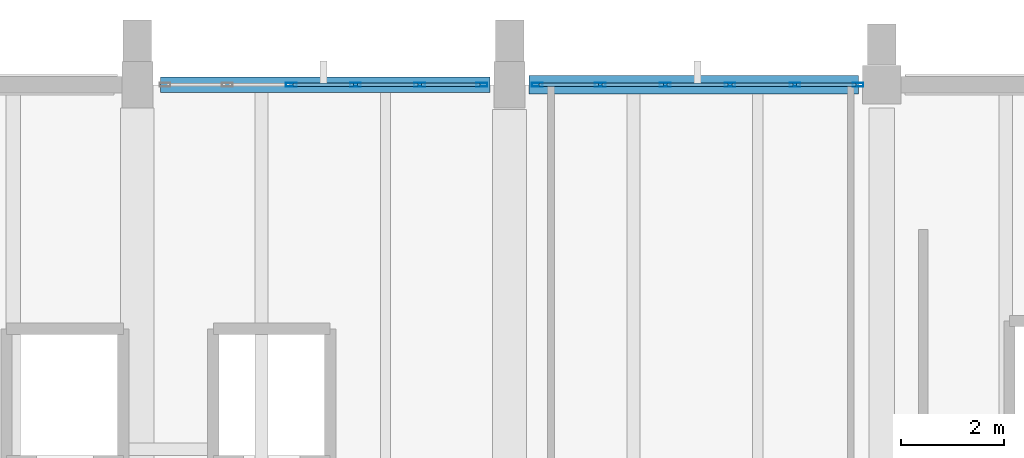
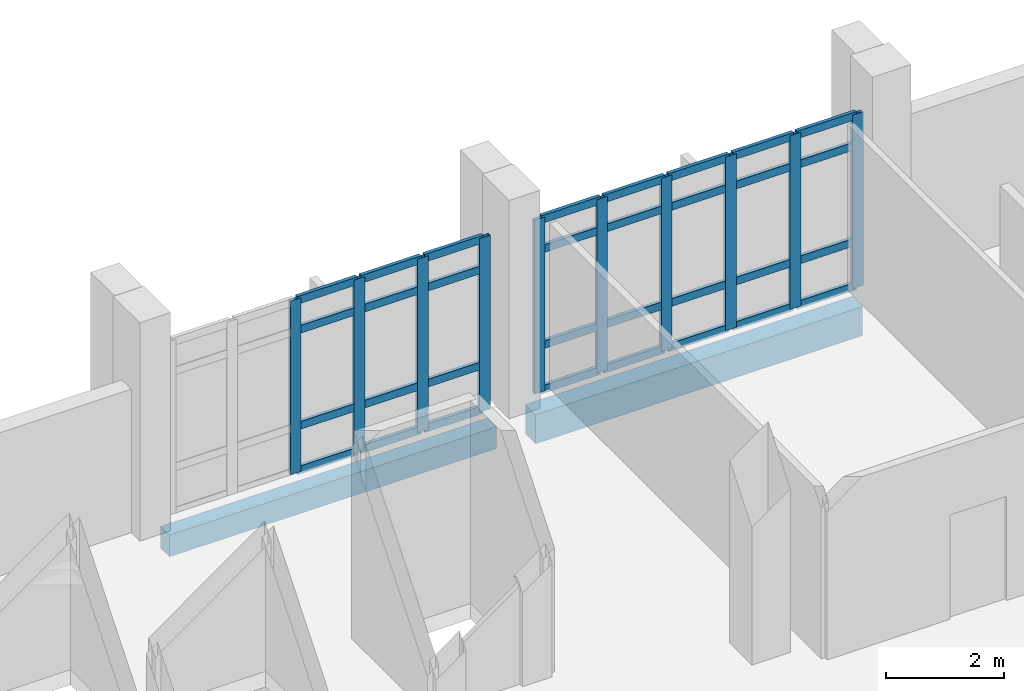
# One storey, part 65 of 124: 42 members, 2 beams, 2 elements without a shape of their own.
"""IFC4 building model written with IfcOpenShell, lengths in metres."""

from ifc_helpers import new_model, si_unit, direction, frame, origin, origin_2d, place, context, subcontext, project, spatial, rectangle, hollow_rectangle, extrude, material, material_profile, profile_set, type_object, element, aggregate, save


model = new_model("IFC4")

# Units and contexts
model_context = context("Model", 3, precision=1e-05, world=origin(), true_north=direction((0.0, 1.0)))
body_context = subcontext(model_context, "Body", "Model", "MODEL_VIEW")
ifc_project = project(units=[si_unit("LENGTHUNIT", "METRE"), si_unit("AREAUNIT", "SQUARE_METRE"), si_unit("VOLUMEUNIT", "CUBIC_METRE"), si_unit("PLANEANGLEUNIT", "RADIAN"), si_unit("MASSUNIT", "GRAM", prefix="KILO")], contexts=[model_context])

# Site, building, storey
site_placement = place(None, origin())
site = spatial("IfcSite", under=ifc_project, at=site_placement, CompositionType="ELEMENT")
building_placement = place(site_placement, origin())
building = spatial("IfcBuilding", under=site, at=building_placement, Name="Kalluvel Institute of Natural Sciences", CompositionType="ELEMENT")
storey_placement = place(building_placement, frame((0.0, 0.0, 9.89990234375)))
storey = spatial("IfcBuildingStorey", under=building, at=storey_placement, Name="L02", CompositionType="ELEMENT", Elevation=9.89990234375)

# Curtain wall, members
ifc_material_1 = material(Name="Aluminium AW-6063 T6", Category="aluminium")
curtain_wall_type = type_object("IfcCurtainWallType", Name="CW-WET-45", PredefinedType="USERDEFINED", material=ifc_material_1)
curtain_wall_1_placement = place(storey_placement, origin())
curtain_wall_1 = element("IfcCurtainWall", 1, at=curtain_wall_1_placement, inside=storey, type_object=curtain_wall_type, Name="L02 Gothic lancet curtain wall CWA-L02-X433-Y1280", ObjectType="UNITISED LANCET FACADE", PredefinedType="USERDEFINED")
ifc_material_profile_1 = material_profile(ifc_material_1, hollow_rectangle(XDim=0.070068359375, YDim=0.2099609375, WallThickness=0.0048828125, at=origin_2d()), Name="CWM 70x210")
ifc_profile_set_1 = profile_set([ifc_material_profile_1], Name="Aluminium AW-6063 T6")
member_type_1 = type_object("IfcMemberType", Name="CWM-70x210", PredefinedType="MULLION", material=ifc_profile_set_1)
member_1_placement = place(storey_placement, frame((45.780029296875, 128.0, 0.0), z_axis=(0.0, 0.0, 1.0), x_axis=(0.0, 1.0, 0.0)))
member_1 = element("IfcMember", 2, at=member_1_placement, type_object=member_type_1, Name="CW-01 mullion 3", PredefinedType="MULLION", context=body_context, shape_type="SweptSolid", body=[
    extrude(hollow_rectangle(XDim=0.070068359375, YDim=0.2099609375, WallThickness=0.0048828125, at=origin_2d()), origin(), (0.0, 0.0, 1.0), 3.580078125),
])
member_2_placement = place(storey_placement, frame((47.02001953125, 128.0, 0.0), z_axis=(0.0, 0.0, 1.0), x_axis=(0.0, 1.0, 0.0)))
member_2 = element("IfcMember", 3, at=member_2_placement, type_object=member_type_1, Name="CW-01 mullion 4", PredefinedType="MULLION", context=body_context, shape_type="SweptSolid", body=[
    extrude(hollow_rectangle(XDim=0.070068359375, YDim=0.2099609375, WallThickness=0.0048828125, at=origin_2d()), origin(), (0.0, 0.0, 1.0), 3.580078125),
])
member_3_placement = place(storey_placement, frame((48.260009765625, 128.0, 0.0), z_axis=(0.0, 0.0, 1.0), x_axis=(0.0, 1.0, 0.0)))
member_3 = element("IfcMember", 4, at=member_3_placement, type_object=member_type_1, Name="CW-01 mullion 5", PredefinedType="MULLION", context=body_context, shape_type="SweptSolid", body=[
    extrude(hollow_rectangle(XDim=0.070068359375, YDim=0.2099609375, WallThickness=0.0048828125, at=origin_2d()), origin(), (0.0, 0.0, 1.0), 3.580078125),
])
member_4_placement = place(storey_placement, frame((49.465087890625, 128.0, 0.0), z_axis=(0.0, 0.0, 1.0), x_axis=(0.0, 1.0, 0.0)))
member_4 = element("IfcMember", 5, at=member_4_placement, type_object=member_type_1, Name="CW-01 mullion 6", PredefinedType="MULLION", context=body_context, shape_type="SweptSolid", body=[
    extrude(hollow_rectangle(XDim=0.070068359375, YDim=0.2099609375, WallThickness=0.0048828125, at=origin_2d()), origin(), (0.0, 0.0, 1.0), 3.580078125),
])

curtain_wall_2_placement = place(storey_placement, origin())
curtain_wall_2 = element("IfcCurtainWall", 6, at=curtain_wall_2_placement, inside=storey, type_object=curtain_wall_type, Name="L02 Gothic lancet curtain wall CWA-L02-X505-Y1280", ObjectType="UNITISED LANCET FACADE", PredefinedType="USERDEFINED")
member_5_placement = place(storey_placement, frame((50.534912109375, 128.0, 0.0), z_axis=(0.0, 0.0, 1.0), x_axis=(0.0, 1.0, 0.0)))
member_5 = element("IfcMember", 7, at=member_5_placement, type_object=member_type_1, Name="CW-01 mullion 1", PredefinedType="MULLION", context=body_context, shape_type="SweptSolid", body=[
    extrude(hollow_rectangle(XDim=0.070068359375, YDim=0.2099609375, WallThickness=0.0048828125, at=origin_2d()), origin(), (0.0, 0.0, 1.0), 3.580078125),
])
member_6_placement = place(storey_placement, frame((51.7548828125, 128.0, 0.0), z_axis=(0.0, 0.0, 1.0), x_axis=(0.0, 1.0, 0.0)))
member_6 = element("IfcMember", 8, at=member_6_placement, type_object=member_type_1, Name="CW-01 mullion 2", PredefinedType="MULLION", context=body_context, shape_type="SweptSolid", body=[
    extrude(hollow_rectangle(XDim=0.070068359375, YDim=0.2099609375, WallThickness=0.0048828125, at=origin_2d()), origin(), (0.0, 0.0, 1.0), 3.580078125),
])
member_7_placement = place(storey_placement, frame((53.010009765625, 128.0, 0.0), z_axis=(0.0, 0.0, 1.0), x_axis=(0.0, 1.0, 0.0)))
member_7 = element("IfcMember", 9, at=member_7_placement, type_object=member_type_1, Name="CW-01 mullion 3", PredefinedType="MULLION", context=body_context, shape_type="SweptSolid", body=[
    extrude(hollow_rectangle(XDim=0.070068359375, YDim=0.2099609375, WallThickness=0.0048828125, at=origin_2d()), origin(), (0.0, 0.0, 1.0), 3.580078125),
])
member_8_placement = place(storey_placement, frame((54.264892578125, 128.0, 0.0), z_axis=(0.0, 0.0, 1.0), x_axis=(0.0, 1.0, 0.0)))
member_8 = element("IfcMember", 10, at=member_8_placement, type_object=member_type_1, Name="CW-01 mullion 4", PredefinedType="MULLION", context=body_context, shape_type="SweptSolid", body=[
    extrude(hollow_rectangle(XDim=0.070068359375, YDim=0.2099609375, WallThickness=0.0048828125, at=origin_2d()), origin(), (0.0, 0.0, 1.0), 3.580078125),
])
member_9_placement = place(storey_placement, frame((55.52001953125, 128.0, 0.0), z_axis=(0.0, 0.0, 1.0), x_axis=(0.0, 1.0, 0.0)))
member_9 = element("IfcMember", 11, at=member_9_placement, type_object=member_type_1, Name="CW-01 mullion 5", PredefinedType="MULLION", context=body_context, shape_type="SweptSolid", body=[
    extrude(hollow_rectangle(XDim=0.070068359375, YDim=0.2099609375, WallThickness=0.0048828125, at=origin_2d()), origin(), (0.0, 0.0, 1.0), 3.580078125),
])
member_10_placement = place(storey_placement, frame((56.739990234375, 128.0, 0.0), z_axis=(0.0, 0.0, 1.0), x_axis=(0.0, 1.0, 0.0)))
member_10 = element("IfcMember", 12, at=member_10_placement, type_object=member_type_1, Name="CW-01 mullion 6", PredefinedType="MULLION", context=body_context, shape_type="SweptSolid", body=[
    extrude(hollow_rectangle(XDim=0.070068359375, YDim=0.2099609375, WallThickness=0.0048828125, at=origin_2d()), origin(), (0.0, 0.0, 1.0), 3.580078125),
])

# Member
ifc_material_profile_2 = material_profile(ifc_material_1, hollow_rectangle(XDim=0.070068359375, YDim=0.159912109375, WallThickness=0.0048828125, at=origin_2d()), Name="CWT 70x160")
ifc_profile_set_2 = profile_set([ifc_material_profile_2], Name="Aluminium AW-6063 T6")
member_type_2 = type_object("IfcMemberType", Name="CWT-70x160", PredefinedType="USERDEFINED", material=ifc_profile_set_2)
member_11_placement = place(storey_placement, frame((45.81494140625, 128.0, 0.03515625), z_axis=(1.0, 0.0, 0.0), x_axis=(0.0, 1.0, 0.0)))
member_11 = element("IfcMember", 13, at=member_11_placement, type_object=member_type_2, Name="CW-01 transom 3.1", ObjectType="TRANSOM", PredefinedType="USERDEFINED", context=body_context, shape_type="SweptSolid", body=[
    extrude(hollow_rectangle(XDim=0.070068359375, YDim=0.159912109375, WallThickness=0.0048828125, at=origin_2d()), origin(), (0.0, 0.0, 1.0), 1.170166015625),
])

member_12_placement = place(storey_placement, frame((45.81494140625, 128.0, 0.9501953125), z_axis=(1.0, 0.0, 0.0), x_axis=(0.0, 1.0, 0.0)))
member_12 = element("IfcMember", 14, at=member_12_placement, type_object=member_type_2, Name="CW-01 transom 3.2", ObjectType="TRANSOM", PredefinedType="USERDEFINED", context=body_context, shape_type="SweptSolid", body=[
    extrude(hollow_rectangle(XDim=0.070068359375, YDim=0.159912109375, WallThickness=0.0048828125, at=origin_2d()), origin(), (0.0, 0.0, 1.0), 1.170166015625),
])

member_13_placement = place(storey_placement, frame((45.81494140625, 128.0, 2.93017578125), z_axis=(1.0, 0.0, 0.0), x_axis=(0.0, 1.0, 0.0)))
member_13 = element("IfcMember", 15, at=member_13_placement, type_object=member_type_2, Name="CW-01 transom 3.3", ObjectType="TRANSOM", PredefinedType="USERDEFINED", context=body_context, shape_type="SweptSolid", body=[
    extrude(hollow_rectangle(XDim=0.070068359375, YDim=0.159912109375, WallThickness=0.0048828125, at=origin_2d()), origin(), (0.0, 0.0, 1.0), 1.170166015625),
])

member_14_placement = place(storey_placement, frame((45.81494140625, 128.0, 3.545166015625), z_axis=(1.0, 0.0, 0.0), x_axis=(0.0, 1.0, 0.0)))
member_14 = element("IfcMember", 16, at=member_14_placement, type_object=member_type_2, Name="CW-01 transom 3.4", ObjectType="TRANSOM", PredefinedType="USERDEFINED", context=body_context, shape_type="SweptSolid", body=[
    extrude(hollow_rectangle(XDim=0.070068359375, YDim=0.159912109375, WallThickness=0.0048828125, at=origin_2d()), origin(), (0.0, 0.0, 1.0), 1.170166015625),
])

member_15_placement = place(storey_placement, frame((47.054931640625, 128.0, 0.03515625), z_axis=(1.0, 0.0, 0.0), x_axis=(0.0, 1.0, 0.0)))
member_15 = element("IfcMember", 17, at=member_15_placement, type_object=member_type_2, Name="CW-01 transom 4.1", ObjectType="TRANSOM", PredefinedType="USERDEFINED", context=body_context, shape_type="SweptSolid", body=[
    extrude(hollow_rectangle(XDim=0.070068359375, YDim=0.159912109375, WallThickness=0.0048828125, at=origin_2d()), origin(), (0.0, 0.0, 1.0), 1.170166015625),
])

member_16_placement = place(storey_placement, frame((47.054931640625, 128.0, 0.9501953125), z_axis=(1.0, 0.0, 0.0), x_axis=(0.0, 1.0, 0.0)))
member_16 = element("IfcMember", 18, at=member_16_placement, type_object=member_type_2, Name="CW-01 transom 4.2", ObjectType="TRANSOM", PredefinedType="USERDEFINED", context=body_context, shape_type="SweptSolid", body=[
    extrude(hollow_rectangle(XDim=0.070068359375, YDim=0.159912109375, WallThickness=0.0048828125, at=origin_2d()), origin(), (0.0, 0.0, 1.0), 1.170166015625),
])

member_17_placement = place(storey_placement, frame((47.054931640625, 128.0, 2.93017578125), z_axis=(1.0, 0.0, 0.0), x_axis=(0.0, 1.0, 0.0)))
member_17 = element("IfcMember", 19, at=member_17_placement, type_object=member_type_2, Name="CW-01 transom 4.3", ObjectType="TRANSOM", PredefinedType="USERDEFINED", context=body_context, shape_type="SweptSolid", body=[
    extrude(hollow_rectangle(XDim=0.070068359375, YDim=0.159912109375, WallThickness=0.0048828125, at=origin_2d()), origin(), (0.0, 0.0, 1.0), 1.170166015625),
])

member_18_placement = place(storey_placement, frame((47.054931640625, 128.0, 3.545166015625), z_axis=(1.0, 0.0, 0.0), x_axis=(0.0, 1.0, 0.0)))
member_18 = element("IfcMember", 20, at=member_18_placement, type_object=member_type_2, Name="CW-01 transom 4.4", ObjectType="TRANSOM", PredefinedType="USERDEFINED", context=body_context, shape_type="SweptSolid", body=[
    extrude(hollow_rectangle(XDim=0.070068359375, YDim=0.159912109375, WallThickness=0.0048828125, at=origin_2d()), origin(), (0.0, 0.0, 1.0), 1.170166015625),
])

member_19_placement = place(storey_placement, frame((48.294921875, 128.0, 0.03515625), z_axis=(1.0, 0.0, 0.0), x_axis=(0.0, 1.0, 0.0)))
member_19 = element("IfcMember", 21, at=member_19_placement, type_object=member_type_2, Name="CW-01 transom 5.1", ObjectType="TRANSOM", PredefinedType="USERDEFINED", context=body_context, shape_type="SweptSolid", body=[
    extrude(hollow_rectangle(XDim=0.070068359375, YDim=0.159912109375, WallThickness=0.0048828125, at=origin_2d()), origin(), (0.0, 0.0, 1.0), 1.135009765625),
])

member_20_placement = place(storey_placement, frame((48.294921875, 128.0, 0.9501953125), z_axis=(1.0, 0.0, 0.0), x_axis=(0.0, 1.0, 0.0)))
member_20 = element("IfcMember", 22, at=member_20_placement, type_object=member_type_2, Name="CW-01 transom 5.2", ObjectType="TRANSOM", PredefinedType="USERDEFINED", context=body_context, shape_type="SweptSolid", body=[
    extrude(hollow_rectangle(XDim=0.070068359375, YDim=0.159912109375, WallThickness=0.0048828125, at=origin_2d()), origin(), (0.0, 0.0, 1.0), 1.135009765625),
])

member_21_placement = place(storey_placement, frame((48.294921875, 128.0, 2.93017578125), z_axis=(1.0, 0.0, 0.0), x_axis=(0.0, 1.0, 0.0)))
member_21 = element("IfcMember", 23, at=member_21_placement, type_object=member_type_2, Name="CW-01 transom 5.3", ObjectType="TRANSOM", PredefinedType="USERDEFINED", context=body_context, shape_type="SweptSolid", body=[
    extrude(hollow_rectangle(XDim=0.070068359375, YDim=0.159912109375, WallThickness=0.0048828125, at=origin_2d()), origin(), (0.0, 0.0, 1.0), 1.135009765625),
])

member_22_placement = place(storey_placement, frame((48.294921875, 128.0, 3.545166015625), z_axis=(1.0, 0.0, 0.0), x_axis=(0.0, 1.0, 0.0)))
member_22 = element("IfcMember", 24, at=member_22_placement, type_object=member_type_2, Name="CW-01 transom 5.4", ObjectType="TRANSOM", PredefinedType="USERDEFINED", context=body_context, shape_type="SweptSolid", body=[
    extrude(hollow_rectangle(XDim=0.070068359375, YDim=0.159912109375, WallThickness=0.0048828125, at=origin_2d()), origin(), (0.0, 0.0, 1.0), 1.135009765625),
])

aggregate(curtain_wall_1, [member_1, member_2, member_3, member_4, member_11, member_12, member_13, member_14, member_15, member_16, member_17, member_18, member_19, member_20, member_21, member_22])

member_23_placement = place(storey_placement, frame((50.570068359375, 128.0, 0.03515625), z_axis=(1.0, 0.0, 0.0), x_axis=(0.0, 1.0, 0.0)))
member_23 = element("IfcMember", 25, at=member_23_placement, type_object=member_type_2, Name="CW-01 transom 1.1", ObjectType="TRANSOM", PredefinedType="USERDEFINED", context=body_context, shape_type="SweptSolid", body=[
    extrude(hollow_rectangle(XDim=0.070068359375, YDim=0.159912109375, WallThickness=0.0048828125, at=origin_2d()), origin(), (0.0, 0.0, 1.0), 1.14990234375),
])

member_24_placement = place(storey_placement, frame((50.570068359375, 128.0, 0.9501953125), z_axis=(1.0, 0.0, 0.0), x_axis=(0.0, 1.0, 0.0)))
member_24 = element("IfcMember", 26, at=member_24_placement, type_object=member_type_2, Name="CW-01 transom 1.2", ObjectType="TRANSOM", PredefinedType="USERDEFINED", context=body_context, shape_type="SweptSolid", body=[
    extrude(hollow_rectangle(XDim=0.070068359375, YDim=0.159912109375, WallThickness=0.0048828125, at=origin_2d()), origin(), (0.0, 0.0, 1.0), 1.14990234375),
])

member_25_placement = place(storey_placement, frame((50.570068359375, 128.0, 2.93017578125), z_axis=(1.0, 0.0, 0.0), x_axis=(0.0, 1.0, 0.0)))
member_25 = element("IfcMember", 27, at=member_25_placement, type_object=member_type_2, Name="CW-01 transom 1.3", ObjectType="TRANSOM", PredefinedType="USERDEFINED", context=body_context, shape_type="SweptSolid", body=[
    extrude(hollow_rectangle(XDim=0.070068359375, YDim=0.159912109375, WallThickness=0.0048828125, at=origin_2d()), origin(), (0.0, 0.0, 1.0), 1.14990234375),
])

member_26_placement = place(storey_placement, frame((50.570068359375, 128.0, 3.545166015625), z_axis=(1.0, 0.0, 0.0), x_axis=(0.0, 1.0, 0.0)))
member_26 = element("IfcMember", 28, at=member_26_placement, type_object=member_type_2, Name="CW-01 transom 1.4", ObjectType="TRANSOM", PredefinedType="USERDEFINED", context=body_context, shape_type="SweptSolid", body=[
    extrude(hollow_rectangle(XDim=0.070068359375, YDim=0.159912109375, WallThickness=0.0048828125, at=origin_2d()), origin(), (0.0, 0.0, 1.0), 1.14990234375),
])

member_27_placement = place(storey_placement, frame((51.7900390625, 128.0, 0.03515625), z_axis=(1.0, 0.0, 0.0), x_axis=(0.0, 1.0, 0.0)))
member_27 = element("IfcMember", 29, at=member_27_placement, type_object=member_type_2, Name="CW-01 transom 2.1", ObjectType="TRANSOM", PredefinedType="USERDEFINED", context=body_context, shape_type="SweptSolid", body=[
    extrude(hollow_rectangle(XDim=0.070068359375, YDim=0.159912109375, WallThickness=0.0048828125, at=origin_2d()), origin(), (0.0, 0.0, 1.0), 1.18505859375),
])

member_28_placement = place(storey_placement, frame((51.7900390625, 128.0, 0.9501953125), z_axis=(1.0, 0.0, 0.0), x_axis=(0.0, 1.0, 0.0)))
member_28 = element("IfcMember", 30, at=member_28_placement, type_object=member_type_2, Name="CW-01 transom 2.2", ObjectType="TRANSOM", PredefinedType="USERDEFINED", context=body_context, shape_type="SweptSolid", body=[
    extrude(hollow_rectangle(XDim=0.070068359375, YDim=0.159912109375, WallThickness=0.0048828125, at=origin_2d()), origin(), (0.0, 0.0, 1.0), 1.18505859375),
])

member_29_placement = place(storey_placement, frame((51.7900390625, 128.0, 2.93017578125), z_axis=(1.0, 0.0, 0.0), x_axis=(0.0, 1.0, 0.0)))
member_29 = element("IfcMember", 31, at=member_29_placement, type_object=member_type_2, Name="CW-01 transom 2.3", ObjectType="TRANSOM", PredefinedType="USERDEFINED", context=body_context, shape_type="SweptSolid", body=[
    extrude(hollow_rectangle(XDim=0.070068359375, YDim=0.159912109375, WallThickness=0.0048828125, at=origin_2d()), origin(), (0.0, 0.0, 1.0), 1.18505859375),
])

member_30_placement = place(storey_placement, frame((51.7900390625, 128.0, 3.545166015625), z_axis=(1.0, 0.0, 0.0), x_axis=(0.0, 1.0, 0.0)))
member_30 = element("IfcMember", 32, at=member_30_placement, type_object=member_type_2, Name="CW-01 transom 2.4", ObjectType="TRANSOM", PredefinedType="USERDEFINED", context=body_context, shape_type="SweptSolid", body=[
    extrude(hollow_rectangle(XDim=0.070068359375, YDim=0.159912109375, WallThickness=0.0048828125, at=origin_2d()), origin(), (0.0, 0.0, 1.0), 1.18505859375),
])

member_31_placement = place(storey_placement, frame((53.044921875, 128.0, 0.03515625), z_axis=(1.0, 0.0, 0.0), x_axis=(0.0, 1.0, 0.0)))
member_31 = element("IfcMember", 33, at=member_31_placement, type_object=member_type_2, Name="CW-01 transom 3.1", ObjectType="TRANSOM", PredefinedType="USERDEFINED", context=body_context, shape_type="SweptSolid", body=[
    extrude(hollow_rectangle(XDim=0.070068359375, YDim=0.159912109375, WallThickness=0.0048828125, at=origin_2d()), origin(), (0.0, 0.0, 1.0), 1.18505859375),
])

member_32_placement = place(storey_placement, frame((53.044921875, 128.0, 0.9501953125), z_axis=(1.0, 0.0, 0.0), x_axis=(0.0, 1.0, 0.0)))
member_32 = element("IfcMember", 34, at=member_32_placement, type_object=member_type_2, Name="CW-01 transom 3.2", ObjectType="TRANSOM", PredefinedType="USERDEFINED", context=body_context, shape_type="SweptSolid", body=[
    extrude(hollow_rectangle(XDim=0.070068359375, YDim=0.159912109375, WallThickness=0.0048828125, at=origin_2d()), origin(), (0.0, 0.0, 1.0), 1.18505859375),
])

member_33_placement = place(storey_placement, frame((53.044921875, 128.0, 2.93017578125), z_axis=(1.0, 0.0, 0.0), x_axis=(0.0, 1.0, 0.0)))
member_33 = element("IfcMember", 35, at=member_33_placement, type_object=member_type_2, Name="CW-01 transom 3.3", ObjectType="TRANSOM", PredefinedType="USERDEFINED", context=body_context, shape_type="SweptSolid", body=[
    extrude(hollow_rectangle(XDim=0.070068359375, YDim=0.159912109375, WallThickness=0.0048828125, at=origin_2d()), origin(), (0.0, 0.0, 1.0), 1.18505859375),
])

member_34_placement = place(storey_placement, frame((53.044921875, 128.0, 3.545166015625), z_axis=(1.0, 0.0, 0.0), x_axis=(0.0, 1.0, 0.0)))
member_34 = element("IfcMember", 36, at=member_34_placement, type_object=member_type_2, Name="CW-01 transom 3.4", ObjectType="TRANSOM", PredefinedType="USERDEFINED", context=body_context, shape_type="SweptSolid", body=[
    extrude(hollow_rectangle(XDim=0.070068359375, YDim=0.159912109375, WallThickness=0.0048828125, at=origin_2d()), origin(), (0.0, 0.0, 1.0), 1.18505859375),
])

member_35_placement = place(storey_placement, frame((54.300048828125, 128.0, 0.03515625), z_axis=(1.0, 0.0, 0.0), x_axis=(0.0, 1.0, 0.0)))
member_35 = element("IfcMember", 37, at=member_35_placement, type_object=member_type_2, Name="CW-01 transom 4.1", ObjectType="TRANSOM", PredefinedType="USERDEFINED", context=body_context, shape_type="SweptSolid", body=[
    extrude(hollow_rectangle(XDim=0.070068359375, YDim=0.159912109375, WallThickness=0.0048828125, at=origin_2d()), origin(), (0.0, 0.0, 1.0), 1.18505859375),
])

member_36_placement = place(storey_placement, frame((54.300048828125, 128.0, 0.9501953125), z_axis=(1.0, 0.0, 0.0), x_axis=(0.0, 1.0, 0.0)))
member_36 = element("IfcMember", 38, at=member_36_placement, type_object=member_type_2, Name="CW-01 transom 4.2", ObjectType="TRANSOM", PredefinedType="USERDEFINED", context=body_context, shape_type="SweptSolid", body=[
    extrude(hollow_rectangle(XDim=0.070068359375, YDim=0.159912109375, WallThickness=0.0048828125, at=origin_2d()), origin(), (0.0, 0.0, 1.0), 1.18505859375),
])

member_37_placement = place(storey_placement, frame((54.300048828125, 128.0, 2.93017578125), z_axis=(1.0, 0.0, 0.0), x_axis=(0.0, 1.0, 0.0)))
member_37 = element("IfcMember", 39, at=member_37_placement, type_object=member_type_2, Name="CW-01 transom 4.3", ObjectType="TRANSOM", PredefinedType="USERDEFINED", context=body_context, shape_type="SweptSolid", body=[
    extrude(hollow_rectangle(XDim=0.070068359375, YDim=0.159912109375, WallThickness=0.0048828125, at=origin_2d()), origin(), (0.0, 0.0, 1.0), 1.18505859375),
])

member_38_placement = place(storey_placement, frame((54.300048828125, 128.0, 3.545166015625), z_axis=(1.0, 0.0, 0.0), x_axis=(0.0, 1.0, 0.0)))
member_38 = element("IfcMember", 40, at=member_38_placement, type_object=member_type_2, Name="CW-01 transom 4.4", ObjectType="TRANSOM", PredefinedType="USERDEFINED", context=body_context, shape_type="SweptSolid", body=[
    extrude(hollow_rectangle(XDim=0.070068359375, YDim=0.159912109375, WallThickness=0.0048828125, at=origin_2d()), origin(), (0.0, 0.0, 1.0), 1.18505859375),
])

member_39_placement = place(storey_placement, frame((55.554931640625, 128.0, 0.03515625), z_axis=(1.0, 0.0, 0.0), x_axis=(0.0, 1.0, 0.0)))
member_39 = element("IfcMember", 41, at=member_39_placement, type_object=member_type_2, Name="CW-01 transom 5.1", ObjectType="TRANSOM", PredefinedType="USERDEFINED", context=body_context, shape_type="SweptSolid", body=[
    extrude(hollow_rectangle(XDim=0.070068359375, YDim=0.159912109375, WallThickness=0.0048828125, at=origin_2d()), origin(), (0.0, 0.0, 1.0), 1.150146484375),
])

member_40_placement = place(storey_placement, frame((55.554931640625, 128.0, 0.9501953125), z_axis=(1.0, 0.0, 0.0), x_axis=(0.0, 1.0, 0.0)))
member_40 = element("IfcMember", 42, at=member_40_placement, type_object=member_type_2, Name="CW-01 transom 5.2", ObjectType="TRANSOM", PredefinedType="USERDEFINED", context=body_context, shape_type="SweptSolid", body=[
    extrude(hollow_rectangle(XDim=0.070068359375, YDim=0.159912109375, WallThickness=0.0048828125, at=origin_2d()), origin(), (0.0, 0.0, 1.0), 1.150146484375),
])

member_41_placement = place(storey_placement, frame((55.554931640625, 128.0, 2.93017578125), z_axis=(1.0, 0.0, 0.0), x_axis=(0.0, 1.0, 0.0)))
member_41 = element("IfcMember", 43, at=member_41_placement, type_object=member_type_2, Name="CW-01 transom 5.3", ObjectType="TRANSOM", PredefinedType="USERDEFINED", context=body_context, shape_type="SweptSolid", body=[
    extrude(hollow_rectangle(XDim=0.070068359375, YDim=0.159912109375, WallThickness=0.0048828125, at=origin_2d()), origin(), (0.0, 0.0, 1.0), 1.150146484375),
])

member_42_placement = place(storey_placement, frame((55.554931640625, 128.0, 3.545166015625), z_axis=(1.0, 0.0, 0.0), x_axis=(0.0, 1.0, 0.0)))
member_42 = element("IfcMember", 44, at=member_42_placement, type_object=member_type_2, Name="CW-01 transom 5.4", ObjectType="TRANSOM", PredefinedType="USERDEFINED", context=body_context, shape_type="SweptSolid", body=[
    extrude(hollow_rectangle(XDim=0.070068359375, YDim=0.159912109375, WallThickness=0.0048828125, at=origin_2d()), origin(), (0.0, 0.0, 1.0), 1.150146484375),
])

aggregate(curtain_wall_2, [member_5, member_6, member_7, member_8, member_9, member_10, member_23, member_24, member_25, member_26, member_27, member_28, member_29, member_30, member_31, member_32, member_33, member_34, member_35, member_36, member_37, member_38, member_39, member_40, member_41, member_42])

# Beams
ifc_material_2 = material(Name="Concrete M40", Category="concrete")
ifc_material_profile_3 = material_profile(ifc_material_2, rectangle(XDim=0.300048828125, YDim=0.449951171875, at=origin_2d()), Name="RCB 300x450")
ifc_profile_set_3 = profile_set([ifc_material_profile_3], Name="Concrete M40")
beam_type_1 = type_object("IfcBeamType", Name="SP-RC300x450", PredefinedType="SPANDREL", material=ifc_profile_set_3)
beam_1_placement = place(storey_placement, frame((43.25, 128.0, -0.544921875), z_axis=(1.0, 0.0, 0.0), x_axis=(0.0, 1.0, 0.0)))
element("IfcBeam", 45, at=beam_1_placement, inside=storey, type_object=beam_type_1, Name="L02 girder GIR-L02-EW-X428-Y1280", PredefinedType="SPANDREL", context=body_context, shape_type="SweptSolid", body=[
    extrude(rectangle(XDim=0.300048828125, YDim=0.449951171875, at=origin_2d()), origin(), (0.0, 0.0, 1.0), 6.375),
])
ifc_material_profile_4 = material_profile(ifc_material_2, rectangle(XDim=0.35009765625, YDim=0.60009765625, at=origin_2d()), Name="RCB 350x600")
ifc_profile_set_4 = profile_set([ifc_material_profile_4], Name="Concrete M40")
beam_type_2 = type_object("IfcBeamType", Name="SP-RC350x600", PredefinedType="SPANDREL", material=ifc_profile_set_4)
beam_2_placement = place(storey_placement, frame((50.375, 128.0, -0.619873046875), z_axis=(1.0, 0.0, 0.0), x_axis=(0.0, 1.0, 0.0)))
element("IfcBeam", 46, at=beam_2_placement, inside=storey, type_object=beam_type_2, Name="L02 girder GIR-L02-EW-X500-Y1280", PredefinedType="SPANDREL", context=body_context, shape_type="SweptSolid", body=[
    extrude(rectangle(XDim=0.35009765625, YDim=0.60009765625, at=origin_2d()), origin(), (0.0, 0.0, 1.0), 6.375),
])

save(model, "model.ifc")
